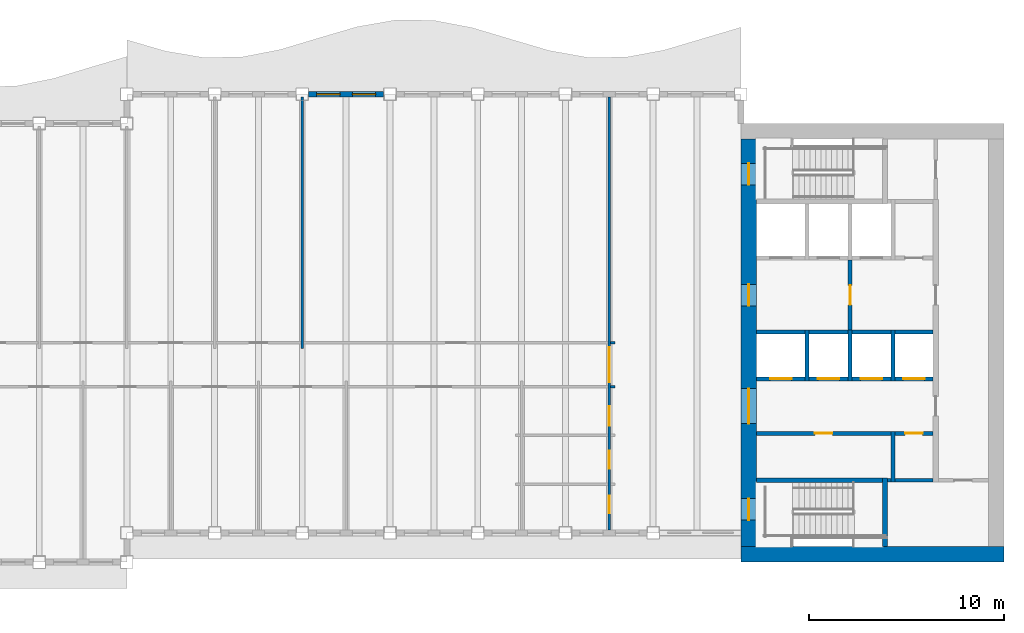
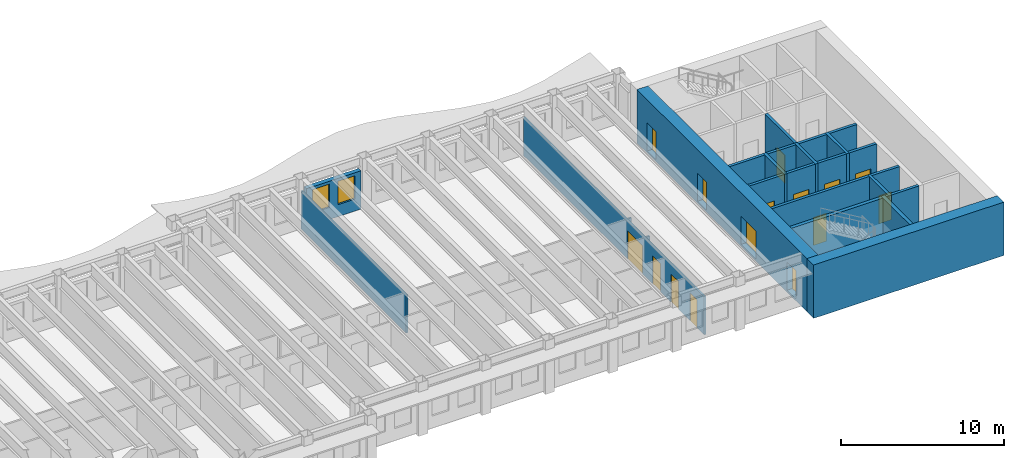
# One storey, part 5 of 12: 26 walls, 15 doors, 2 windows, 17 openings.
"""IFC4 building model written with IfcOpenShell, lengths in metres."""

from ifc_helpers import new_model, si_unit, direction, frame, frame_2d, origin, place, context, subcontext, project, spatial, rectangle, extrude, material, layer, layer_set, type_object, element, fill, save


model = new_model("IFC4")

# Units and contexts
model_context = context("Model", 3, precision=1e-05, world=origin(), true_north=direction((0.0, 1.0)))
body_context = subcontext(model_context, "Body", "Model", "MODEL_VIEW")
ifc_project = project(units=[si_unit("LENGTHUNIT", "METRE"), si_unit("AREAUNIT", "SQUARE_METRE"), si_unit("VOLUMEUNIT", "CUBIC_METRE"), si_unit("PLANEANGLEUNIT", "RADIAN"), si_unit("MASSUNIT", "GRAM", prefix="KILO")], contexts=[model_context])

# Site, building, storey
site_placement = place(None, origin())
site = spatial("IfcSite", under=ifc_project, at=site_placement, CompositionType="ELEMENT")
building_placement = place(site_placement, origin())
building = spatial("IfcBuilding", under=site, at=building_placement, Name="Sennacour Bend Tower", CompositionType="ELEMENT")
storey_placement = place(building_placement, frame((0.0, 0.0, 289.0)))
storey = spatial("IfcBuildingStorey", under=building, at=storey_placement, Name="L67", CompositionType="ELEMENT", Elevation=289.0)

# Wall
ifc_material_1 = material(Name="Concrete C50/60", Category="concrete")
ifc_layer_1 = layer(ifc_material_1, 0.800048828125, Name="Concrete C50/60", Category="concrete")
ifc_layer_set_1 = layer_set([ifc_layer_1], Name="Concrete C50/60")
wall_type_1 = type_object("IfcWallType", Name="Core wall 800 C50/60", PredefinedType="SHEAR", material=ifc_layer_set_1)
wall_1_placement = place(storey_placement, frame((67.5, 0.39990234375, -0.14990234375), z_axis=(0.0, 0.0, 1.0), x_axis=(-1.0, 0.0, 0.0)))
element("IfcWall", 1, at=wall_1_placement, inside=storey, type_object=wall_type_1, Name="Core A wall L67 S", PredefinedType="SHEAR", context=body_context, shape_type="SweptSolid", body=[
    extrude(rectangle(XDim=13.5, YDim=0.800048828125, at=frame_2d((6.75, 0.0))), origin(), (0.0, 0.0, 1.0), 4.0),
])

# Wall, openings, doors
wall_2_placement = place(storey_placement, frame((54.39990234375, 0.800048828125, -0.14990234375), z_axis=(0.0, 0.0, 1.0), x_axis=(0.0, 1.0, 0.0)))
wall_2 = element("IfcWall", 2, at=wall_2_placement, inside=storey, type_object=wall_type_1, Name="Core A wall L67 W", PredefinedType="SHEAR", context=body_context, shape_type="SweptSolid", body=[
    extrude(rectangle(XDim=20.89990234375, YDim=0.800048828125, at=frame_2d((10.449951171875, 0.0))), origin(), (0.0, 0.0, 1.0), 4.0),
])
opening_1_placement = place(wall_2_placement, frame((6.300048828125, 0.0, 0.14990234375)))
opening_1 = element("IfcOpeningElement", 3, at=opening_1_placement, cuts=wall_2, Name="Opening CD", PredefinedType="OPENING", context=body_context, shape_type="SweptSolid", body=[
    extrude(rectangle(XDim=1.800048828125, YDim=2.10009765625, at=frame_2d((0.89990234375, 1.050048828125))), frame((0.0, 0.41015625, 0.0), z_axis=(0.0, -1.0, 0.0), x_axis=(1.0, 0.0, 0.0)), (0.0, 0.0, 1.0), 0.820068359375),
])
opening_2_placement = place(wall_2_placement, frame((12.35009765625, 0.0, 0.14990234375)))
opening_2 = element("IfcOpeningElement", 4, at=opening_2_placement, cuts=wall_2, Name="Opening FD", PredefinedType="OPENING", context=body_context, shape_type="SweptSolid", body=[
    extrude(rectangle(XDim=1.10009765625, YDim=2.10009765625, at=frame_2d((0.550048828125, 1.050048828125))), frame((0.0, 0.41015625, 0.0), z_axis=(0.0, -1.0, 0.0), x_axis=(1.0, 0.0, 0.0)), (0.0, 0.0, 1.0), 0.820068359375),
])
opening_3_placement = place(wall_2_placement, frame((1.35009765625, 0.0, 0.14990234375)))
opening_3 = element("IfcOpeningElement", 5, at=opening_3_placement, cuts=wall_2, Name="Opening SD", PredefinedType="OPENING", context=body_context, shape_type="SweptSolid", body=[
    extrude(rectangle(XDim=1.10009765625, YDim=2.10009765625, at=frame_2d((0.550048828125, 1.050048828125))), frame((0.0, 0.41015625, 0.0), z_axis=(0.0, -1.0, 0.0), x_axis=(1.0, 0.0, 0.0)), (0.0, 0.0, 1.0), 0.820068359375),
])
opening_4_placement = place(wall_2_placement, frame((18.550048828125, 0.0, 0.14990234375)))
opening_4 = element("IfcOpeningElement", 6, at=opening_4_placement, cuts=wall_2, Name="Opening SD", PredefinedType="OPENING", context=body_context, shape_type="SweptSolid", body=[
    extrude(rectangle(XDim=1.10009765625, YDim=2.10009765625, at=frame_2d((0.550048828125, 1.050048828125))), frame((0.0, 0.41015625, 0.0), z_axis=(0.0, -1.0, 0.0), x_axis=(1.0, 0.0, 0.0)), (0.0, 0.0, 1.0), 0.820068359375),
])
ifc_material_2 = material(Name="Painted steel", Category="steel")
door_type_1 = type_object("IfcDoorType", Name="DR-FFL-1100", OperationType="NOTDEFINED", PredefinedType="DOOR", material=ifc_material_2)
door_1_placement = place(opening_2_placement, origin())
door_1 = element("IfcDoor", 7, at=door_1_placement, inside=storey, type_object=door_type_1, Name="Door", OperationType="SINGLE_SWING_RIGHT", OverallHeight=2.10009765625, OverallWidth=1.10009765625, PredefinedType="DOOR", context=body_context, shape_type="SweptSolid", body=[
    extrude(rectangle(XDim=1.10009765625, YDim=2.10009765625, at=frame_2d((0.550048828125, 1.050048828125))), frame((0.0, 0.02490234375, 0.0), z_axis=(0.0, -1.0, 0.0), x_axis=(1.0, 0.0, 0.0)), (0.0, 0.0, 1.0), 0.050048828125),
])
fill(opening_2, door_1)
door_type_2 = type_object("IfcDoorType", Name="DR-LOBBY-1800", OperationType="NOTDEFINED", PredefinedType="DOOR", material=ifc_material_2)
door_2_placement = place(opening_1_placement, origin())
door_2 = element("IfcDoor", 8, at=door_2_placement, inside=storey, type_object=door_type_2, Name="Door", OperationType="DOUBLE_DOOR_SINGLE_SWING", OverallHeight=2.10009765625, OverallWidth=1.800048828125, PredefinedType="DOOR", context=body_context, shape_type="SweptSolid", body=[
    extrude(rectangle(XDim=1.800048828125, YDim=2.10009765625, at=frame_2d((0.89990234375, 1.050048828125))), frame((0.0, 0.02490234375, 0.0), z_axis=(0.0, -1.0, 0.0), x_axis=(1.0, 0.0, 0.0)), (0.0, 0.0, 1.0), 0.050048828125),
])
fill(opening_1, door_2)
door_type_3 = type_object("IfcDoorType", Name="DR-STAIR-1100", OperationType="NOTDEFINED", PredefinedType="DOOR", material=ifc_material_2)
door_3_placement = place(opening_3_placement, origin())
door_3 = element("IfcDoor", 9, at=door_3_placement, inside=storey, type_object=door_type_3, Name="Door", OperationType="SINGLE_SWING_LEFT", OverallHeight=2.10009765625, OverallWidth=1.10009765625, PredefinedType="DOOR", context=body_context, shape_type="SweptSolid", body=[
    extrude(rectangle(XDim=1.10009765625, YDim=2.10009765625, at=frame_2d((0.550048828125, 1.050048828125))), frame((0.0, 0.02490234375, 0.0), z_axis=(0.0, -1.0, 0.0), x_axis=(1.0, 0.0, 0.0)), (0.0, 0.0, 1.0), 0.050048828125),
])
fill(opening_3, door_3)
door_4_placement = place(opening_4_placement, origin())
door_4 = element("IfcDoor", 10, at=door_4_placement, inside=storey, type_object=door_type_3, Name="Door", OperationType="SINGLE_SWING_RIGHT", OverallHeight=2.10009765625, OverallWidth=1.10009765625, PredefinedType="DOOR", context=body_context, shape_type="SweptSolid", body=[
    extrude(rectangle(XDim=1.10009765625, YDim=2.10009765625, at=frame_2d((0.550048828125, 1.050048828125))), frame((0.0, 0.02490234375, 0.0), z_axis=(0.0, -1.0, 0.0), x_axis=(1.0, 0.0, 0.0)), (0.0, 0.0, 1.0), 0.050048828125),
])
fill(opening_4, door_4)

# Walls
ifc_material_3 = material(Name="Plasterboard partition on steel studs", Category="steel")
ifc_layer_2 = layer(ifc_material_3, 0.1201171875, Name="Plasterboard partition on steel studs", Category="steel")
ifc_layer_set_2 = layer_set([ifc_layer_2], Name="Plasterboard partition on steel studs")
wall_type_2 = type_object("IfcWallType", Name="Partition 120", PredefinedType="PARTITIONING", material=ifc_layer_set_2)
wall_3_placement = place(storey_placement, frame((31.5, 10.949951171875, 0.0), z_axis=(0.0, 0.0, 1.0), x_axis=(0.0, 1.0, 0.0)))
element("IfcWall", 11, at=wall_3_placement, inside=storey, type_object=wall_type_2, Name="P-L67-W013a", PredefinedType="PARTITIONING", context=body_context, shape_type="SweptSolid", body=[
    extrude(rectangle(XDim=12.900146484375, YDim=0.1201171875, at=frame_2d((6.4501953125, 0.0))), origin(), (0.0, 0.0, 1.0), 2.8701171875),
])
for number, where, z_axis, x_axis, name in (
    (12, (47.31005859375, 9.0, 0.0), (0.0, 0.0, 1.0), (1.0, 0.0, 0.0), "P-L67-W041ai"),
    (13, (47.31005859375, 11.25, 0.0), (0.0, 0.0, 1.0), (1.0, 0.0, 0.0), "P-L67-W043ag"),
):
    element("IfcWall", number, at=place(storey_placement, frame(where, z_axis=z_axis, x_axis=x_axis)), inside=storey, type_object=wall_type_2, Name=name, PredefinedType="PARTITIONING", context=body_context, shape_type="SweptSolid", body=[
        extrude(rectangle(XDim=0.239990234375, YDim=0.1201171875, at=frame_2d((0.1201171875, 0.0))), origin(), (0.0, 0.0, 1.0), 2.8701171875),
    ])

# Wall, openings, doors
ifc_layer_3 = layer(ifc_material_3, 0.1201171875, Name="Plasterboard partition on steel studs", Category="steel")
ifc_layer_set_3 = layer_set([ifc_layer_3], Name="Plasterboard partition on steel studs")
wall_type_3 = type_object("IfcWallType", Name="Partition 120 EI 30", PredefinedType="PARTITIONING", material=ifc_layer_set_3)
wall_4_placement = place(storey_placement, frame((47.25, 1.64990234375, 0.0), z_axis=(0.0, 0.0, 1.0), x_axis=(0.0, 1.0, 0.0)))
wall_4 = element("IfcWall", 14, at=wall_4_placement, inside=storey, type_object=wall_type_3, Name="P-L67-W016a", PredefinedType="PARTITIONING", context=body_context, shape_type="SweptSolid", body=[
    extrude(rectangle(XDim=22.2001953125, YDim=0.1201171875, at=frame_2d((11.10009765625, 0.0))), origin(), (0.0, 0.0, 1.0), 2.8701171875),
])
opening_5_placement = place(wall_4_placement, frame((7.5751953125, 0.0, 0.0)))
opening_5 = element("IfcOpeningElement", 15, at=opening_5_placement, cuts=wall_4, Name="Opening KD3", PredefinedType="OPENING", context=body_context, shape_type="SweptSolid", body=[
    extrude(rectangle(XDim=1.800048828125, YDim=2.10009765625, at=frame_2d((0.89990234375, 1.050048828125))), frame((0.0, 0.070068359375, 0.0), z_axis=(0.0, -1.0, 0.0), x_axis=(1.0, 0.0, 0.0)), (0.0, 0.0, 1.0), 0.14013671875),
])
opening_6_placement = place(wall_4_placement, frame((0.85009765625, 0.0, 0.0)))
opening_6 = element("IfcOpeningElement", 16, at=opening_6_placement, cuts=wall_4, Name="Opening WD", PredefinedType="OPENING", context=body_context, shape_type="SweptSolid", body=[
    extrude(rectangle(XDim=0.89990234375, YDim=2.10009765625, at=frame_2d((0.449951171875, 1.050048828125))), frame((0.0, 0.070068359375, 0.0), z_axis=(0.0, -1.0, 0.0), x_axis=(1.0, 0.0, 0.0)), (0.0, 0.0, 1.0), 0.14013671875),
])
opening_7_placement = place(wall_4_placement, frame((3.150146484375, 0.0, 0.0)))
opening_7 = element("IfcOpeningElement", 17, at=opening_7_placement, cuts=wall_4, Name="Opening WD", PredefinedType="OPENING", context=body_context, shape_type="SweptSolid", body=[
    extrude(rectangle(XDim=0.89990234375, YDim=2.10009765625, at=frame_2d((0.449951171875, 1.050048828125))), frame((0.0, 0.070068359375, 0.0), z_axis=(0.0, -1.0, 0.0), x_axis=(1.0, 0.0, 0.0)), (0.0, 0.0, 1.0), 0.14013671875),
])
opening_8_placement = place(wall_4_placement, frame((5.35009765625, 0.0, 0.0)))
opening_8 = element("IfcOpeningElement", 18, at=opening_8_placement, cuts=wall_4, Name="Opening AD", PredefinedType="OPENING", context=body_context, shape_type="SweptSolid", body=[
    extrude(rectangle(XDim=1.0, YDim=2.10009765625, at=frame_2d((0.5, 1.050048828125))), frame((0.0, 0.070068359375, 0.0), z_axis=(0.0, -1.0, 0.0), x_axis=(1.0, 0.0, 0.0)), (0.0, 0.0, 1.0), 0.14013671875),
])
ifc_material_4 = material(Name="Timber", Category="wood")
door_type_4 = type_object("IfcDoorType", Name="DR-ACC-WC-1000", OperationType="NOTDEFINED", PredefinedType="DOOR", material=ifc_material_4)
door_5_placement = place(opening_8_placement, origin())
door_5 = element("IfcDoor", 19, at=door_5_placement, inside=storey, type_object=door_type_4, Name="Door", OperationType="SINGLE_SWING_LEFT", OverallHeight=2.10009765625, OverallWidth=1.0, PredefinedType="DOOR", context=body_context, shape_type="SweptSolid", body=[
    extrude(rectangle(XDim=1.0, YDim=2.10009765625, at=frame_2d((0.5, 1.050048828125))), frame((0.0, 0.02490234375, 0.0), z_axis=(0.0, -1.0, 0.0), x_axis=(1.0, 0.0, 0.0)), (0.0, 0.0, 1.0), 0.050048828125),
])
fill(opening_8, door_5)
door_type_5 = type_object("IfcDoorType", Name="DR-CORRIDOR-1800", OperationType="NOTDEFINED", PredefinedType="DOOR", material=ifc_material_2)
door_6_placement = place(opening_5_placement, origin())
door_6 = element("IfcDoor", 20, at=door_6_placement, inside=storey, type_object=door_type_5, Name="Door", OperationType="DOUBLE_DOOR_SINGLE_SWING", OverallHeight=2.10009765625, OverallWidth=1.800048828125, PredefinedType="DOOR", context=body_context, shape_type="SweptSolid", body=[
    extrude(rectangle(XDim=1.800048828125, YDim=2.10009765625, at=frame_2d((0.89990234375, 1.050048828125))), frame((0.0, 0.02490234375, 0.0), z_axis=(0.0, -1.0, 0.0), x_axis=(1.0, 0.0, 0.0)), (0.0, 0.0, 1.0), 0.050048828125),
])
fill(opening_5, door_6)
door_type_6 = type_object("IfcDoorType", Name="DR-WC-900", OperationType="NOTDEFINED", PredefinedType="DOOR", material=ifc_material_4)
door_7_placement = place(opening_6_placement, origin())
door_7 = element("IfcDoor", 21, at=door_7_placement, inside=storey, type_object=door_type_6, Name="Door", OperationType="SINGLE_SWING_LEFT", OverallHeight=2.10009765625, OverallWidth=0.89990234375, PredefinedType="DOOR", context=body_context, shape_type="SweptSolid", body=[
    extrude(rectangle(XDim=0.89990234375, YDim=2.10009765625, at=frame_2d((0.449951171875, 1.050048828125))), frame((0.0, 0.02490234375, 0.0), z_axis=(0.0, -1.0, 0.0), x_axis=(1.0, 0.0, 0.0)), (0.0, 0.0, 1.0), 0.050048828125),
])
fill(opening_6, door_7)
door_8_placement = place(opening_7_placement, origin())
door_8 = element("IfcDoor", 22, at=door_8_placement, inside=storey, type_object=door_type_6, Name="Door", OperationType="SINGLE_SWING_LEFT", OverallHeight=2.10009765625, OverallWidth=0.89990234375, PredefinedType="DOOR", context=body_context, shape_type="SweptSolid", body=[
    extrude(rectangle(XDim=0.89990234375, YDim=2.10009765625, at=frame_2d((0.449951171875, 1.050048828125))), frame((0.0, 0.02490234375, 0.0), z_axis=(0.0, -1.0, 0.0), x_axis=(1.0, 0.0, 0.0)), (0.0, 0.0, 1.0), 0.050048828125),
])
fill(opening_7, door_8)

# Walls
ifc_material_5 = material(Name="Fire-rated plasterboard partition on steel studs", Category="steel")
ifc_layer_4 = layer(ifc_material_5, 0.199951171875, Name="Fire-rated plasterboard partition on steel studs", Category="steel")
ifc_layer_set_4 = layer_set([ifc_layer_4], Name="Fire-rated plasterboard partition on steel studs")
wall_type_4 = type_object("IfcWallType", Name="Rated partition 200", PredefinedType="PARTITIONING", material=ifc_layer_set_4)
wall_5_placement = place(storey_placement, frame((61.800048828125, 4.10009765625, 0.0), z_axis=(0.0, 0.0, 1.0), x_axis=(0.0, 1.0, 0.0)))
element("IfcWall", 23, at=wall_5_placement, inside=storey, type_object=wall_type_4, Name="P-L67-W025", PredefinedType="PARTITIONING", context=body_context, shape_type="SweptSolid", body=[
    extrude(rectangle(XDim=2.599853515625, YDim=0.199951171875, at=frame_2d((1.2998046875, 0.0))), origin(), (0.0, 0.0, 1.0), 3.85009765625),
])
wall_6_placement = place(storey_placement, frame((61.52490234375, 4.199951171875, 0.0), z_axis=(0.0, 0.0, 1.0), x_axis=(1.0, 0.0, 0.0)))
element("IfcWall", 24, at=wall_6_placement, inside=storey, type_object=wall_type_4, Name="P-L67-W038a", PredefinedType="PARTITIONING", context=body_context, shape_type="SweptSolid", body=[
    extrude(rectangle(XDim=0.175048828125, YDim=0.199951171875, at=frame_2d((0.08740234375, 0.0))), origin(), (0.0, 0.0, 1.0), 3.85009765625),
])
wall_7_placement = place(storey_placement, frame((61.89990234375, 4.199951171875, 0.0), z_axis=(0.0, 0.0, 1.0), x_axis=(1.0, 0.0, 0.0)))
element("IfcWall", 25, at=wall_7_placement, inside=storey, type_object=wall_type_4, Name="P-L67-W038b", PredefinedType="PARTITIONING", context=body_context, shape_type="SweptSolid", body=[
    extrude(rectangle(XDim=1.9501953125, YDim=0.199951171875, at=frame_2d((0.97509765625, 0.0))), origin(), (0.0, 0.0, 1.0), 3.85009765625),
])

# Wall, opening, door
wall_8_placement = place(storey_placement, frame((54.800048828125, 6.60009765625, 0.0), z_axis=(0.0, 0.0, 1.0), x_axis=(1.0, 0.0, 0.0)))
wall_8 = element("IfcWall", 26, at=wall_8_placement, inside=storey, type_object=wall_type_4, Name="P-L67-W040a", PredefinedType="PARTITIONING", context=body_context, shape_type="SweptSolid", body=[
    extrude(rectangle(XDim=6.89990234375, YDim=0.199951171875, at=frame_2d((3.449951171875, 0.0))), origin(), (0.0, 0.0, 1.0), 3.85009765625),
])
opening_9_placement = place(wall_8_placement, frame((3.0, 0.0, 0.0)))
opening_9 = element("IfcOpeningElement", 27, at=opening_9_placement, cuts=wall_8, Name="Opening SV", PredefinedType="OPENING", context=body_context, shape_type="SweptSolid", body=[
    extrude(rectangle(XDim=0.89990234375, YDim=2.10009765625, at=frame_2d((0.449951171875, 1.050048828125))), frame((0.0, 0.10986328125, 0.0), z_axis=(0.0, -1.0, 0.0), x_axis=(1.0, 0.0, 0.0)), (0.0, 0.0, 1.0), 0.219970703125),
])
door_type_7 = type_object("IfcDoorType", Name="DR-SERVICE-900", OperationType="NOTDEFINED", PredefinedType="DOOR", material=ifc_material_2)
door_9_placement = place(opening_9_placement, origin())
door_9 = element("IfcDoor", 28, at=door_9_placement, inside=storey, type_object=door_type_7, Name="Door", OperationType="SINGLE_SWING_LEFT", OverallHeight=2.10009765625, OverallWidth=0.89990234375, PredefinedType="DOOR", context=body_context, shape_type="SweptSolid", body=[
    extrude(rectangle(XDim=0.89990234375, YDim=2.10009765625, at=frame_2d((0.449951171875, 1.050048828125))), frame((0.0, 0.02490234375, 0.0), z_axis=(0.0, -1.0, 0.0), x_axis=(1.0, 0.0, 0.0)), (0.0, 0.0, 1.0), 0.050048828125),
])
fill(opening_9, door_9)

wall_9_placement = place(storey_placement, frame((61.89990234375, 6.60009765625, 0.0), z_axis=(0.0, 0.0, 1.0), x_axis=(1.0, 0.0, 0.0)))
wall_9 = element("IfcWall", 29, at=wall_9_placement, inside=storey, type_object=wall_type_4, Name="P-L67-W040b", PredefinedType="PARTITIONING", context=body_context, shape_type="SweptSolid", body=[
    extrude(rectangle(XDim=1.9501953125, YDim=0.199951171875, at=frame_2d((0.97509765625, 0.0))), origin(), (0.0, 0.0, 1.0), 3.85009765625),
])
opening_10_placement = place(wall_9_placement, frame((0.525146484375, 0.0, 0.0)))
opening_10 = element("IfcOpeningElement", 30, at=opening_10_placement, cuts=wall_9, Name="Opening SV", PredefinedType="OPENING", context=body_context, shape_type="SweptSolid", body=[
    extrude(rectangle(XDim=0.89990234375, YDim=2.10009765625, at=frame_2d((0.449951171875, 1.050048828125))), frame((0.0, 0.10986328125, 0.0), z_axis=(0.0, -1.0, 0.0), x_axis=(1.0, 0.0, 0.0)), (0.0, 0.0, 1.0), 0.219970703125),
])
door_10_placement = place(opening_10_placement, origin())
door_10 = element("IfcDoor", 31, at=door_10_placement, inside=storey, type_object=door_type_7, Name="Door", OperationType="SINGLE_SWING_RIGHT", OverallHeight=2.10009765625, OverallWidth=0.89990234375, PredefinedType="DOOR", context=body_context, shape_type="SweptSolid", body=[
    extrude(rectangle(XDim=0.89990234375, YDim=2.10009765625, at=frame_2d((0.449951171875, 1.050048828125))), frame((0.0, 0.02490234375, 0.0), z_axis=(0.0, -1.0, 0.0), x_axis=(1.0, 0.0, 0.0)), (0.0, 0.0, 1.0), 0.050048828125),
])
fill(opening_10, door_10)

ifc_layer_5 = layer(ifc_material_5, 0.199951171875, Name="Fire-rated plasterboard partition on steel studs", Category="steel")
ifc_layer_set_5 = layer_set([ifc_layer_5], Name="Fire-rated plasterboard partition on steel studs")
wall_type_5 = type_object("IfcWallType", Name="Rated partition 200 EI 90", PredefinedType="PARTITIONING", material=ifc_layer_set_5)
wall_10_placement = place(storey_placement, frame((59.60009765625, 11.89990234375, 0.0), z_axis=(0.0, 0.0, 1.0), x_axis=(0.0, 1.0, 0.0)))
wall_10 = element("IfcWall", 32, at=wall_10_placement, inside=storey, type_object=wall_type_5, Name="P-L67-W021", PredefinedType="PARTITIONING", context=body_context, shape_type="SweptSolid", body=[
    extrude(rectangle(XDim=3.60009765625, YDim=0.199951171875, at=frame_2d((1.800048828125, 0.0))), origin(), (0.0, 0.0, 1.0), 3.85009765625),
])
opening_11_placement = place(wall_10_placement, frame((1.300048828125, 0.0, 0.0)))
opening_11 = element("IfcOpeningElement", 33, at=opening_11_placement, cuts=wall_10, Name="Opening FD2", PredefinedType="OPENING", context=body_context, shape_type="SweptSolid", body=[
    extrude(rectangle(XDim=1.0, YDim=2.10009765625, at=frame_2d((0.5, 1.050048828125))), frame((0.0, 0.10986328125, 0.0), z_axis=(0.0, -1.0, 0.0), x_axis=(1.0, 0.0, 0.0)), (0.0, 0.0, 1.0), 0.219970703125),
])
door_type_8 = type_object("IfcDoorType", Name="DR-FFL-1000", OperationType="NOTDEFINED", PredefinedType="DOOR", material=ifc_material_2)
door_11_placement = place(opening_11_placement, origin())
door_11 = element("IfcDoor", 34, at=door_11_placement, inside=storey, type_object=door_type_8, Name="Door", OperationType="SINGLE_SWING_LEFT", OverallHeight=2.10009765625, OverallWidth=1.0, PredefinedType="DOOR", context=body_context, shape_type="SweptSolid", body=[
    extrude(rectangle(XDim=1.0, YDim=2.10009765625, at=frame_2d((0.5, 1.050048828125))), frame((0.0, 0.02490234375, 0.0), z_axis=(0.0, -1.0, 0.0), x_axis=(1.0, 0.0, 0.0)), (0.0, 0.0, 1.0), 0.050048828125),
])
fill(opening_11, door_11)

# Wall, openings, windows
ifc_material_6 = material(Name="Warm limestone cladding", Category="masonry")
ifc_layer_6 = layer(ifc_material_6, 0.050048828125, Name="Warm limestone cladding", Category="masonry")
ifc_material_7 = material(Name="Precast concrete C40/50", Category="concrete")
ifc_layer_7 = layer(ifc_material_7, 0.25, Name="Precast concrete C40/50", Category="concrete")
ifc_layer_set_6 = layer_set([ifc_layer_6, ifc_layer_7], Name="Precast concrete C40/50 with limestone cladding")
wall_type_6 = type_object("IfcWallType", Name="STONE-CLAD PRECAST SPANDREL 300", PredefinedType="STANDARD", material=ifc_layer_set_6)
wall_11_placement = place(storey_placement, frame((35.675048828125, 24.0, 0.0), z_axis=(0.0, 0.0, 1.0), x_axis=(-1.0, 0.0, 0.0)))
wall_11 = element("IfcWall", 35, at=wall_11_placement, inside=storey, type_object=wall_type_6, Name="Stone spandrel and pier wall L67 07.04", PredefinedType="STANDARD", context=body_context, shape_type="SweptSolid", body=[
    extrude(rectangle(XDim=3.85009765625, YDim=0.300048828125, at=frame_2d((1.925048828125, 0.0))), origin(), (0.0, 0.0, 1.0), 2.8701171875),
])
opening_12_placement = place(wall_11_placement, frame((0.41259765625, 0.0, 0.89990234375)))
opening_12 = element("IfcOpeningElement", 36, at=opening_12_placement, cuts=wall_11, Name="Opening W16", PredefinedType="OPENING", context=body_context, shape_type="SweptSolid", body=[
    extrude(rectangle(XDim=1.199951171875, YDim=1.75, at=frame_2d((0.60009765625, 0.875))), frame((0.0, 0.16015625, 0.0), z_axis=(0.0, -1.0, 0.0), x_axis=(1.0, 0.0, 0.0)), (0.0, 0.0, 1.0), 0.320068359375),
])
opening_13_placement = place(wall_11_placement, frame((2.237548828125, 0.0, 0.89990234375)))
opening_13 = element("IfcOpeningElement", 37, at=opening_13_placement, cuts=wall_11, Name="Opening W16", PredefinedType="OPENING", context=body_context, shape_type="SweptSolid", body=[
    extrude(rectangle(XDim=1.199951171875, YDim=1.75, at=frame_2d((0.60009765625, 0.875))), frame((0.0, 0.16015625, 0.0), z_axis=(0.0, -1.0, 0.0), x_axis=(1.0, 0.0, 0.0)), (0.0, 0.0, 1.0), 0.320068359375),
])
ifc_material_8 = material(Name="Clear low-emissivity glass", Category="glass")
window_type = type_object("IfcWindowType", Name="WIN-RIBBON-1200x1750", PartitioningType="SINGLE_PANEL", PredefinedType="WINDOW", material=ifc_material_8)
window_1_placement = place(opening_12_placement, origin())
window_1 = element("IfcWindow", 38, at=window_1_placement, inside=storey, type_object=window_type, Name="Ribbon window L67 07.04.0", OverallHeight=1.75, OverallWidth=1.199951171875, PartitioningType="SINGLE_PANEL", PredefinedType="WINDOW", context=body_context, shape_type="SweptSolid", body=[
    extrude(rectangle(XDim=1.199951171875, YDim=1.75, at=frame_2d((0.60009765625, 0.875))), frame((0.0, 0.030029296875, 0.0), z_axis=(0.0, -1.0, 0.0), x_axis=(1.0, 0.0, 0.0)), (0.0, 0.0, 1.0), 0.06005859375),
])
fill(opening_12, window_1)
window_2_placement = place(opening_13_placement, origin())
window_2 = element("IfcWindow", 39, at=window_2_placement, inside=storey, type_object=window_type, Name="Ribbon window L67 07.04.1", OverallHeight=1.75, OverallWidth=1.199951171875, PartitioningType="SINGLE_PANEL", PredefinedType="WINDOW", context=body_context, shape_type="SweptSolid", body=[
    extrude(rectangle(XDim=1.199951171875, YDim=1.75, at=frame_2d((0.60009765625, 0.875))), frame((0.0, 0.030029296875, 0.0), z_axis=(0.0, -1.0, 0.0), x_axis=(1.0, 0.0, 0.0)), (0.0, 0.0, 1.0), 0.06005859375),
])
fill(opening_13, window_2)

# Walls
ifc_layer_8 = layer(ifc_material_1, 0.199951171875, Name="Concrete C50/60", Category="concrete")
ifc_layer_set_7 = layer_set([ifc_layer_8], Name="Concrete C50/60")
wall_type_7 = type_object("IfcWallType", Name="Shaft wall 200", PredefinedType="SOLIDWALL", material=ifc_layer_set_7)
for number, where, z_axis, x_axis, name in (
    (40, (57.39990234375, 9.300048828125, 0.0), (0.0, 0.0, 1.0), (0.0, 1.0, 0.0), "P-L67-W018"),
    (41, (59.60009765625, 9.300048828125, 0.0), (0.0, 0.0, 1.0), (0.0, 1.0, 0.0), "P-L67-W020"),
    (42, (61.800048828125, 9.300048828125, 0.0), (0.0, 0.0, 1.0), (0.0, 1.0, 0.0), "P-L67-W026"),
):
    element("IfcWall", number, at=place(storey_placement, frame(where, z_axis=z_axis, x_axis=x_axis)), inside=storey, type_object=wall_type_7, Name=name, PredefinedType="SOLIDWALL", context=body_context, shape_type="SweptSolid", body=[
        extrude(rectangle(XDim=2.599853515625, YDim=0.199951171875, at=frame_2d((1.2998046875, 0.0))), origin(), (0.0, 0.0, 1.0), 3.85009765625),
    ])

# Wall, opening, door
wall_12_placement = place(storey_placement, frame((54.800048828125, 9.39990234375, 0.0), z_axis=(0.0, 0.0, 1.0), x_axis=(1.0, 0.0, 0.0)))
wall_12 = element("IfcWall", 43, at=wall_12_placement, inside=storey, type_object=wall_type_7, Name="P-L67-W042a", PredefinedType="SOLIDWALL", context=body_context, shape_type="SweptSolid", body=[
    extrude(rectangle(XDim=2.5, YDim=0.199951171875, at=frame_2d((1.25, 0.0))), origin(), (0.0, 0.0, 1.0), 3.85009765625),
])
opening_14_placement = place(wall_12_placement, frame((0.699951171875, 0.0, 0.011962890625)))
opening_14 = element("IfcOpeningElement", 44, at=opening_14_placement, cuts=wall_12, Name="Opening LD", PredefinedType="OPENING", context=body_context, shape_type="SweptSolid", body=[
    extrude(rectangle(XDim=1.10009765625, YDim=2.10009765625, at=frame_2d((0.550048828125, 1.050048828125))), frame((0.0, 0.10986328125, 0.0), z_axis=(0.0, -1.0, 0.0), x_axis=(1.0, 0.0, 0.0)), (0.0, 0.0, 1.0), 0.219970703125),
])
ifc_material_9 = material(Name="Stainless steel", Category="steel")
door_type_9 = type_object("IfcDoorType", Name="DR-LANDING-1100", OperationType="NOTDEFINED", PredefinedType="DOOR", material=ifc_material_9)
door_12_placement = place(opening_14_placement, origin())
door_12 = element("IfcDoor", 45, at=door_12_placement, inside=storey, type_object=door_type_9, Name="Lift landing door HA1", OperationType="SLIDING_TO_LEFT", OverallHeight=2.10009765625, OverallWidth=1.10009765625, PredefinedType="DOOR", context=body_context, shape_type="SweptSolid", body=[
    extrude(rectangle(XDim=1.10009765625, YDim=2.10009765625, at=frame_2d((0.550048828125, 1.050048828125))), frame((0.0, 0.02490234375, 0.0), z_axis=(0.0, -1.0, 0.0), x_axis=(1.0, 0.0, 0.0)), (0.0, 0.0, 1.0), 0.050048828125),
])
fill(opening_14, door_12)

wall_13_placement = place(storey_placement, frame((57.5, 9.39990234375, 0.0), z_axis=(0.0, 0.0, 1.0), x_axis=(1.0, 0.0, 0.0)))
wall_13 = element("IfcWall", 46, at=wall_13_placement, inside=storey, type_object=wall_type_7, Name="P-L67-W042b", PredefinedType="SOLIDWALL", context=body_context, shape_type="SweptSolid", body=[
    extrude(rectangle(XDim=2.0, YDim=0.199951171875, at=frame_2d((1.0, 0.0))), origin(), (0.0, 0.0, 1.0), 3.85009765625),
])
opening_15_placement = place(wall_13_placement, frame((0.449951171875, 0.0, 0.011962890625)))
opening_15 = element("IfcOpeningElement", 47, at=opening_15_placement, cuts=wall_13, Name="Opening LD", PredefinedType="OPENING", context=body_context, shape_type="SweptSolid", body=[
    extrude(rectangle(XDim=1.10009765625, YDim=2.10009765625, at=frame_2d((0.550048828125, 1.050048828125))), frame((0.0, 0.10986328125, 0.0), z_axis=(0.0, -1.0, 0.0), x_axis=(1.0, 0.0, 0.0)), (0.0, 0.0, 1.0), 0.219970703125),
])
door_13_placement = place(opening_15_placement, origin())
door_13 = element("IfcDoor", 48, at=door_13_placement, inside=storey, type_object=door_type_9, Name="Lift landing door HA2", OperationType="SLIDING_TO_RIGHT", OverallHeight=2.10009765625, OverallWidth=1.10009765625, PredefinedType="DOOR", context=body_context, shape_type="SweptSolid", body=[
    extrude(rectangle(XDim=1.10009765625, YDim=2.10009765625, at=frame_2d((0.550048828125, 1.050048828125))), frame((0.0, 0.02490234375, 0.0), z_axis=(0.0, -1.0, 0.0), x_axis=(1.0, 0.0, 0.0)), (0.0, 0.0, 1.0), 0.050048828125),
])
fill(opening_15, door_13)

wall_14_placement = place(storey_placement, frame((59.699951171875, 9.39990234375, 0.0), z_axis=(0.0, 0.0, 1.0), x_axis=(1.0, 0.0, 0.0)))
wall_14 = element("IfcWall", 49, at=wall_14_placement, inside=storey, type_object=wall_type_7, Name="P-L67-W042c", PredefinedType="SOLIDWALL", context=body_context, shape_type="SweptSolid", body=[
    extrude(rectangle(XDim=2.0, YDim=0.199951171875, at=frame_2d((1.0, 0.0))), origin(), (0.0, 0.0, 1.0), 3.85009765625),
])
opening_16_placement = place(wall_14_placement, frame((0.449951171875, 0.0, 0.011962890625)))
opening_16 = element("IfcOpeningElement", 50, at=opening_16_placement, cuts=wall_14, Name="Opening LD", PredefinedType="OPENING", context=body_context, shape_type="SweptSolid", body=[
    extrude(rectangle(XDim=1.10009765625, YDim=2.10009765625, at=frame_2d((0.550048828125, 1.050048828125))), frame((0.0, 0.10986328125, 0.0), z_axis=(0.0, -1.0, 0.0), x_axis=(1.0, 0.0, 0.0)), (0.0, 0.0, 1.0), 0.219970703125),
])
door_14_placement = place(opening_16_placement, origin())
door_14 = element("IfcDoor", 51, at=door_14_placement, inside=storey, type_object=door_type_9, Name="Lift landing door HA3", OperationType="SLIDING_TO_LEFT", OverallHeight=2.10009765625, OverallWidth=1.10009765625, PredefinedType="DOOR", context=body_context, shape_type="SweptSolid", body=[
    extrude(rectangle(XDim=1.10009765625, YDim=2.10009765625, at=frame_2d((0.550048828125, 1.050048828125))), frame((0.0, 0.02490234375, 0.0), z_axis=(0.0, -1.0, 0.0), x_axis=(1.0, 0.0, 0.0)), (0.0, 0.0, 1.0), 0.050048828125),
])
fill(opening_16, door_14)

wall_15_placement = place(storey_placement, frame((61.89990234375, 9.39990234375, 0.0), z_axis=(0.0, 0.0, 1.0), x_axis=(1.0, 0.0, 0.0)))
wall_15 = element("IfcWall", 52, at=wall_15_placement, inside=storey, type_object=wall_type_7, Name="P-L67-W042d", PredefinedType="SOLIDWALL", context=body_context, shape_type="SweptSolid", body=[
    extrude(rectangle(XDim=1.9501953125, YDim=0.199951171875, at=frame_2d((0.97509765625, 0.0))), origin(), (0.0, 0.0, 1.0), 3.85009765625),
])
opening_17_placement = place(wall_15_placement, frame((0.425048828125, 0.0, 0.011962890625)))
opening_17 = element("IfcOpeningElement", 53, at=opening_17_placement, cuts=wall_15, Name="Opening LD", PredefinedType="OPENING", context=body_context, shape_type="SweptSolid", body=[
    extrude(rectangle(XDim=1.10009765625, YDim=2.10009765625, at=frame_2d((0.550048828125, 1.050048828125))), frame((0.0, 0.10986328125, 0.0), z_axis=(0.0, -1.0, 0.0), x_axis=(1.0, 0.0, 0.0)), (0.0, 0.0, 1.0), 0.219970703125),
])
door_15_placement = place(opening_17_placement, origin())
door_15 = element("IfcDoor", 54, at=door_15_placement, inside=storey, type_object=door_type_9, Name="Lift landing door HA4", OperationType="SLIDING_TO_RIGHT", OverallHeight=2.10009765625, OverallWidth=1.10009765625, PredefinedType="DOOR", context=body_context, shape_type="SweptSolid", body=[
    extrude(rectangle(XDim=1.10009765625, YDim=2.10009765625, at=frame_2d((0.550048828125, 1.050048828125))), frame((0.0, 0.02490234375, 0.0), z_axis=(0.0, -1.0, 0.0), x_axis=(1.0, 0.0, 0.0)), (0.0, 0.0, 1.0), 0.050048828125),
])
fill(opening_17, door_15)

# Walls
wall_16_placement = place(storey_placement, frame((54.800048828125, 11.800048828125, 0.0), z_axis=(0.0, 0.0, 1.0), x_axis=(1.0, 0.0, 0.0)))
element("IfcWall", 55, at=wall_16_placement, inside=storey, type_object=wall_type_7, Name="P-L67-W044a", PredefinedType="SOLIDWALL", context=body_context, shape_type="SweptSolid", body=[
    extrude(rectangle(XDim=2.5, YDim=0.199951171875, at=frame_2d((1.25, 0.0))), origin(), (0.0, 0.0, 1.0), 3.85009765625),
])
for number, where, z_axis, x_axis, name in (
    (56, (57.5, 11.800048828125, 0.0), (0.0, 0.0, 1.0), (1.0, 0.0, 0.0), "P-L67-W044b"),
    (57, (59.699951171875, 11.800048828125, 0.0), (0.0, 0.0, 1.0), (1.0, 0.0, 0.0), "P-L67-W044c"),
):
    element("IfcWall", number, at=place(storey_placement, frame(where, z_axis=z_axis, x_axis=x_axis)), inside=storey, type_object=wall_type_7, Name=name, PredefinedType="SOLIDWALL", context=body_context, shape_type="SweptSolid", body=[
        extrude(rectangle(XDim=2.0, YDim=0.199951171875, at=frame_2d((1.0, 0.0))), origin(), (0.0, 0.0, 1.0), 3.85009765625),
    ])
wall_17_placement = place(storey_placement, frame((61.89990234375, 11.800048828125, 0.0), z_axis=(0.0, 0.0, 1.0), x_axis=(1.0, 0.0, 0.0)))
element("IfcWall", 58, at=wall_17_placement, inside=storey, type_object=wall_type_7, Name="P-L67-W044d", PredefinedType="SOLIDWALL", context=body_context, shape_type="SweptSolid", body=[
    extrude(rectangle(XDim=1.9501953125, YDim=0.199951171875, at=frame_2d((0.97509765625, 0.0))), origin(), (0.0, 0.0, 1.0), 3.85009765625),
])
ifc_material_10 = material(Name="Concrete C60/75", Category="concrete")
ifc_layer_9 = layer(ifc_material_10, 0.25, Name="Concrete C60/75", Category="concrete")
ifc_layer_set_8 = layer_set([ifc_layer_9], Name="Concrete C60/75")
wall_type_8 = type_object("IfcWallType", Name="Stair wall 250", PredefinedType="SHEAR", material=ifc_layer_set_8)
wall_18_placement = place(storey_placement, frame((61.39990234375, 0.800048828125, 0.0), z_axis=(0.0, 0.0, 1.0), x_axis=(0.0, 1.0, 0.0)))
element("IfcWall", 59, at=wall_18_placement, inside=storey, type_object=wall_type_8, Name="P-L67-W023", PredefinedType="SHEAR", context=body_context, shape_type="SweptSolid", body=[
    extrude(rectangle(XDim=3.52490234375, YDim=0.25, at=frame_2d((1.762451171875, 0.0))), origin(), (0.0, 0.0, 1.0), 3.85009765625),
])
wall_19_placement = place(storey_placement, frame((54.800048828125, 4.199951171875, 0.0), z_axis=(0.0, 0.0, 1.0), x_axis=(1.0, 0.0, 0.0)))
element("IfcWall", 60, at=wall_19_placement, inside=storey, type_object=wall_type_8, Name="P-L67-W037", PredefinedType="SHEAR", context=body_context, shape_type="SweptSolid", body=[
    extrude(rectangle(XDim=6.474853515625, YDim=0.25, at=frame_2d((3.2373046875, 0.0))), origin(), (0.0, 0.0, 1.0), 3.85009765625),
])

save(model, "model.ifc")
